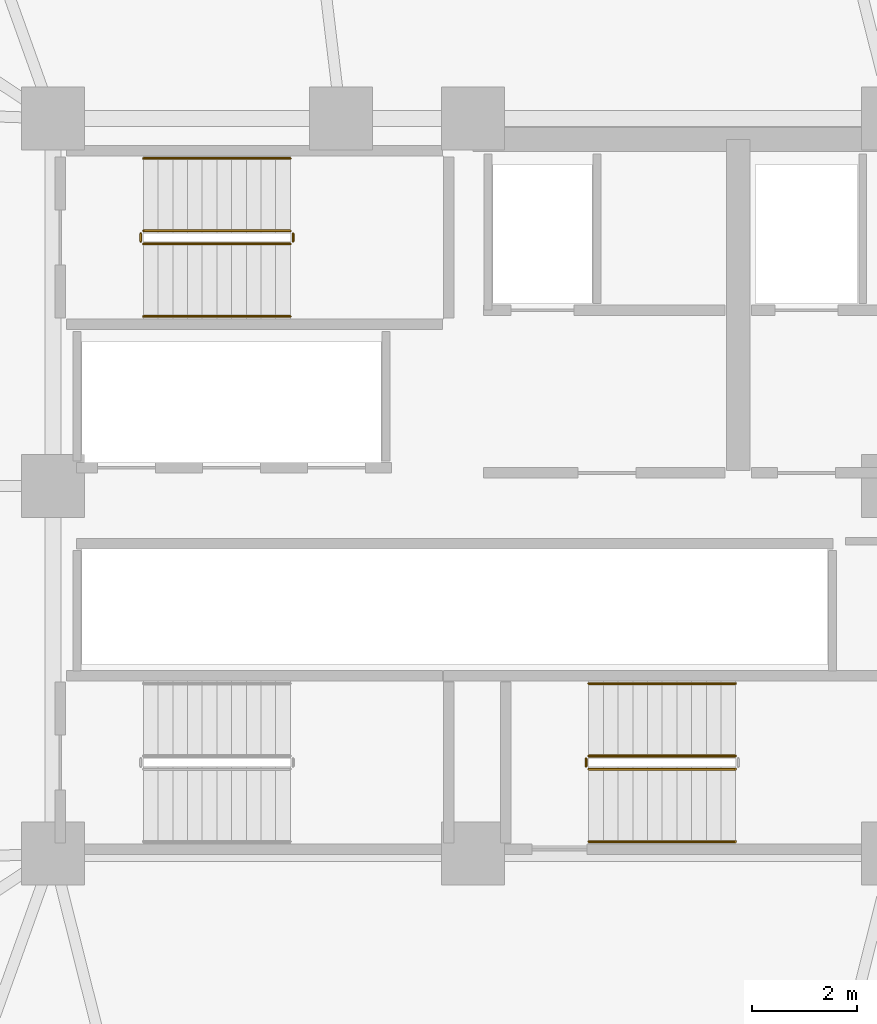
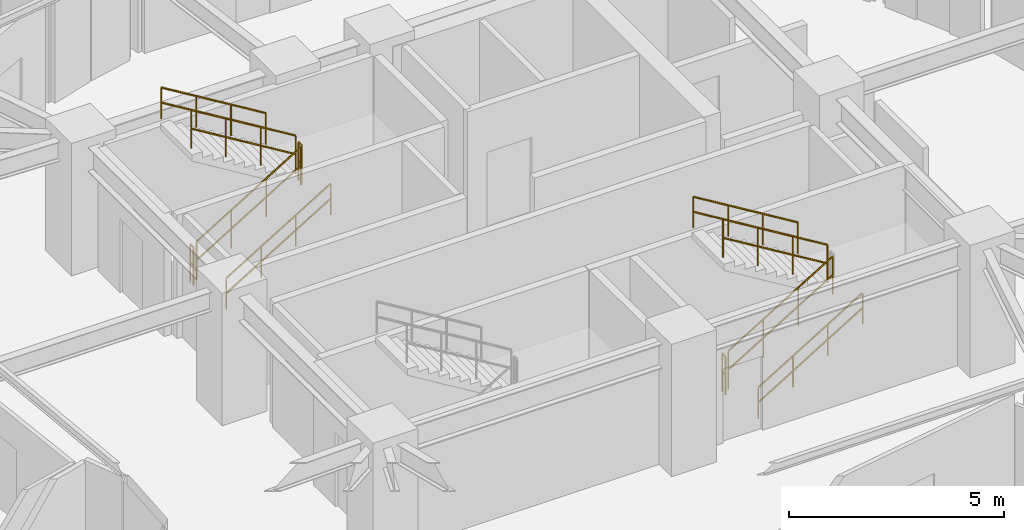
# One storey, part 34 of 36: 11 railings.
"""IFC4 building model written with IfcOpenShell, lengths in metres."""

from ifc_helpers import new_model, si_unit, direction, frame, origin, place, context, subcontext, project, spatial, polyline, outline, extrude, material, type_object, element, save


model = new_model("IFC4")

# Units and contexts
model_context = context("Model", 3, precision=1e-05, world=origin(), true_north=direction((0.0, 1.0)))
body_context = subcontext(model_context, "Body", "Model", "MODEL_VIEW")
ifc_project = project(units=[si_unit("LENGTHUNIT", "METRE"), si_unit("AREAUNIT", "SQUARE_METRE"), si_unit("VOLUMEUNIT", "CUBIC_METRE"), si_unit("PLANEANGLEUNIT", "RADIAN"), si_unit("MASSUNIT", "GRAM", prefix="KILO")], contexts=[model_context])

# Site, building, storey
site_placement = place(None, origin())
site = spatial("IfcSite", under=ifc_project, at=site_placement, CompositionType="ELEMENT")
building_placement = place(site_placement, origin())
building = spatial("IfcBuilding", under=site, at=building_placement, Name="Kelanora Arch Commons", CompositionType="ELEMENT")
storey_placement = place(building_placement, frame((0.0, 0.0, 102.60009765625)))
storey = spatial("IfcBuildingStorey", under=building, at=storey_placement, Name="L26", CompositionType="ELEMENT", Elevation=102.60009765625)

# Railings
ifc_material_1 = material(Name="Painted steel stair well guard", Category="steel")
railing_type_1 = type_object("IfcRailingType", Name="RAIL-STAIR-GRD", PredefinedType="GUARDRAIL", material=ifc_material_1)
railing_1_placement = place(storey_placement, frame((67.719970703125, 62.610107421875, 0.17041015625)))
element("IfcRailing", 1, at=railing_1_placement, inside=storey, type_object=railing_type_1, Name="L26 ST-T1 stair guard 1", PredefinedType="GUARDRAIL", context=body_context, shape_type="SweptSolid", body=[
    extrude(outline(polyline([(0.02392578125, 0.0), (0.011962890625, 0.020751953125), (-0.011962890625, 0.020751953125), (-0.02392578125, 0.0), (-0.011962890625, -0.020751953125), (0.011962890625, -0.020751953125), (0.02392578125, 0.0)])), frame((0.0, 0.0, 1.076171875), z_axis=(0.854169791009, 0.0, 0.51999420009), x_axis=(0.0, 1.0, 0.0)), (0.0, 0.0, 1.0), 3.278076171875),
    extrude(outline(polyline([(0.02392578125, 0.0), (0.011962890625, 0.020751953125), (-0.011962890625, 0.020751953125), (-0.02392578125, 0.0), (-0.011962890625, -0.020751953125), (0.011962890625, -0.020751953125), (0.02392578125, 0.0)])), frame((0.0, 0.0, 0.550048828125), z_axis=(0.854169791009, 0.0, 0.51999420009), x_axis=(0.0, 1.0, 0.0)), (0.0, 0.0, 1.0), 3.278076171875),
    extrude(outline(polyline([(0.02099609375, 0.0), (0.010498046875, 0.01806640625), (-0.010498046875, 0.01806640625), (-0.02099609375, 0.0), (-0.010498046875, -0.01806640625), (0.010498046875, -0.01806640625), (0.02099609375, 0.0)])), origin(), (0.0, 0.0, 1.0), 1.052001953125),
    extrude(outline(polyline([(0.02099609375, 0.0), (0.010498046875, 0.01806640625), (-0.010498046875, 0.01806640625), (-0.02099609375, 0.0), (-0.010498046875, -0.01806640625), (0.010498046875, -0.01806640625), (0.02099609375, 0.0)])), frame((0.933349609375, 0.0, 0.568115234375)), (0.0, 0.0, 1.0), 1.052001953125),
    extrude(outline(polyline([(0.02099609375, 0.0), (0.010498046875, 0.01806640625), (-0.010498046875, 0.01806640625), (-0.02099609375, 0.0), (-0.010498046875, -0.01806640625), (0.010498046875, -0.01806640625), (0.02099609375, 0.0)])), frame((1.86669921875, 0.0, 1.136474609375)), (0.0, 0.0, 1.0), 1.052001953125),
    extrude(outline(polyline([(0.02099609375, 0.0), (0.010498046875, 0.01806640625), (-0.010498046875, 0.01806640625), (-0.02099609375, 0.0), (-0.010498046875, -0.01806640625), (0.010498046875, -0.01806640625), (0.02099609375, 0.0)])), frame((2.800048828125, 0.0, 1.70458984375)), (0.0, 0.0, 1.0), 1.052001953125),
])
railing_2_placement = place(storey_placement, frame((70.570068359375, 62.659912109375, 1.875)))
element("IfcRailing", 2, at=railing_2_placement, inside=storey, type_object=railing_type_1, Name="L26 ST-T1 stair guard 2", PredefinedType="GUARDRAIL", context=body_context, shape_type="SweptSolid", body=[
    extrude(outline(polyline([(0.02392578125, 0.0), (0.011962890625, 0.020751953125), (-0.011962890625, 0.020751953125), (-0.02392578125, 0.0), (-0.011962890625, -0.020751953125), (0.011962890625, -0.020751953125), (0.02392578125, 0.0)])), frame((0.0, 0.0, 1.076171875), z_axis=(0.0, 1.0, 0.0), x_axis=(-1.0, 0.0, 0.0)), (0.0, 0.0, 1.0), 0.150146484375),
    extrude(outline(polyline([(0.02392578125, 0.0), (0.011962890625, 0.020751953125), (-0.011962890625, 0.020751953125), (-0.02392578125, 0.0), (-0.011962890625, -0.020751953125), (0.011962890625, -0.020751953125), (0.02392578125, 0.0)])), frame((0.0, 0.0, 0.550048828125), z_axis=(0.0, 1.0, 0.0), x_axis=(-1.0, 0.0, 0.0)), (0.0, 0.0, 1.0), 0.150146484375),
    extrude(outline(polyline([(0.02099609375, 0.0), (0.010498046875, 0.01806640625), (-0.010498046875, 0.01806640625), (-0.02099609375, 0.0), (-0.010498046875, -0.01806640625), (0.010498046875, -0.01806640625), (0.02099609375, 0.0)])), origin(), (0.0, 0.0, 1.0), 1.052001953125),
    extrude(outline(polyline([(0.02099609375, 0.0), (0.010498046875, 0.01806640625), (-0.010498046875, 0.01806640625), (-0.02099609375, 0.0), (-0.010498046875, -0.01806640625), (0.010498046875, -0.01806640625), (0.02099609375, 0.0)])), frame((0.0, 0.150146484375, 0.0)), (0.0, 0.0, 1.0), 1.052001953125),
])
railing_3_placement = place(storey_placement, frame((70.52001953125, 62.860107421875, 2.04541015625)))
element("IfcRailing", 3, at=railing_3_placement, inside=storey, type_object=railing_type_1, Name="L26 ST-T1 stair guard 3", PredefinedType="GUARDRAIL", context=body_context, shape_type="SweptSolid", body=[
    extrude(outline(polyline([(0.02392578125, 0.0), (0.011962890625, 0.020751953125), (-0.011962890625, 0.020751953125), (-0.02392578125, 0.0), (-0.011962890625, -0.020751953125), (0.011962890625, -0.020751953125), (0.02392578125, 0.0)])), frame((0.0, 0.0, 1.076171875), z_axis=(-0.854169791009, 0.0, 0.51999420009), x_axis=(0.0, -1.0, 0.0)), (0.0, 0.0, 1.0), 3.278076171875),
    extrude(outline(polyline([(0.02392578125, 0.0), (0.011962890625, 0.020751953125), (-0.011962890625, 0.020751953125), (-0.02392578125, 0.0), (-0.011962890625, -0.020751953125), (0.011962890625, -0.020751953125), (0.02392578125, 0.0)])), frame((0.0, 0.0, 0.550048828125), z_axis=(-0.854169791009, 0.0, 0.51999420009), x_axis=(0.0, -1.0, 0.0)), (0.0, 0.0, 1.0), 3.278076171875),
    extrude(outline(polyline([(0.02099609375, 0.0), (0.010498046875, 0.01806640625), (-0.010498046875, 0.01806640625), (-0.02099609375, 0.0), (-0.010498046875, -0.01806640625), (0.010498046875, -0.01806640625), (0.02099609375, 0.0)])), origin(), (0.0, 0.0, 1.0), 1.052001953125),
    extrude(outline(polyline([(0.02099609375, 0.0), (0.010498046875, 0.01806640625), (-0.010498046875, 0.01806640625), (-0.02099609375, 0.0), (-0.010498046875, -0.01806640625), (0.010498046875, -0.01806640625), (0.02099609375, 0.0)])), frame((-0.933349609375, 0.0, 0.568115234375)), (0.0, 0.0, 1.0), 1.052001953125),
    extrude(outline(polyline([(0.02099609375, 0.0), (0.010498046875, 0.01806640625), (-0.010498046875, 0.01806640625), (-0.02099609375, 0.0), (-0.010498046875, -0.01806640625), (0.010498046875, -0.01806640625), (0.02099609375, 0.0)])), frame((-1.86669921875, 0.0, 1.136474609375)), (0.0, 0.0, 1.0), 1.052001953125),
    extrude(outline(polyline([(0.02099609375, 0.0), (0.010498046875, 0.01806640625), (-0.010498046875, 0.01806640625), (-0.02099609375, 0.0), (-0.010498046875, -0.01806640625), (0.010498046875, -0.01806640625), (0.02099609375, 0.0)])), frame((-2.800048828125, 0.0, 1.70458984375)), (0.0, 0.0, 1.0), 1.052001953125),
])
railing_4_placement = place(storey_placement, frame((67.669921875, 62.659912109375, 0.0)))
element("IfcRailing", 4, at=railing_4_placement, inside=storey, type_object=railing_type_1, Name="L26 ST-T1 stair guard 4", PredefinedType="GUARDRAIL", context=body_context, shape_type="SweptSolid", body=[
    extrude(outline(polyline([(0.02392578125, 0.0), (0.011962890625, 0.020751953125), (-0.011962890625, 0.020751953125), (-0.02392578125, 0.0), (-0.011962890625, -0.020751953125), (0.011962890625, -0.020751953125), (0.02392578125, 0.0)])), frame((0.0, 0.0, 1.076171875), z_axis=(0.0, 1.0, 0.0), x_axis=(-1.0, 0.0, 0.0)), (0.0, 0.0, 1.0), 0.150146484375),
    extrude(outline(polyline([(0.02392578125, 0.0), (0.011962890625, 0.020751953125), (-0.011962890625, 0.020751953125), (-0.02392578125, 0.0), (-0.011962890625, -0.020751953125), (0.011962890625, -0.020751953125), (0.02392578125, 0.0)])), frame((0.0, 0.0, 0.550048828125), z_axis=(0.0, 1.0, 0.0), x_axis=(-1.0, 0.0, 0.0)), (0.0, 0.0, 1.0), 0.150146484375),
    extrude(outline(polyline([(0.02099609375, 0.0), (0.010498046875, 0.01806640625), (-0.010498046875, 0.01806640625), (-0.02099609375, 0.0), (-0.010498046875, -0.01806640625), (0.010498046875, -0.01806640625), (0.02099609375, 0.0)])), origin(), (0.0, 0.0, 1.0), 1.052001953125),
    extrude(outline(polyline([(0.02099609375, 0.0), (0.010498046875, 0.01806640625), (-0.010498046875, 0.01806640625), (-0.02099609375, 0.0), (-0.010498046875, -0.01806640625), (0.010498046875, -0.01806640625), (0.02099609375, 0.0)])), frame((0.0, 0.150146484375, 0.0)), (0.0, 0.0, 1.0), 1.052001953125),
])
railing_5_placement = place(storey_placement, frame((76.199951171875, 52.610107421875, 0.17041015625)))
element("IfcRailing", 5, at=railing_5_placement, inside=storey, type_object=railing_type_1, Name="L26 ST-T2 stair guard 1", PredefinedType="GUARDRAIL", context=body_context, shape_type="SweptSolid", body=[
    extrude(outline(polyline([(0.02392578125, 0.0), (0.011962890625, 0.020751953125), (-0.011962890625, 0.020751953125), (-0.02392578125, 0.0), (-0.011962890625, -0.020751953125), (0.011962890625, -0.020751953125), (0.02392578125, 0.0)])), frame((0.0, 0.0, 1.076171875), z_axis=(0.854169791009, 0.0, 0.51999420009), x_axis=(0.0, 1.0, 0.0)), (0.0, 0.0, 1.0), 3.278076171875),
    extrude(outline(polyline([(0.02392578125, 0.0), (0.011962890625, 0.020751953125), (-0.011962890625, 0.020751953125), (-0.02392578125, 0.0), (-0.011962890625, -0.020751953125), (0.011962890625, -0.020751953125), (0.02392578125, 0.0)])), frame((0.0, 0.0, 0.550048828125), z_axis=(0.854169791009, 0.0, 0.51999420009), x_axis=(0.0, 1.0, 0.0)), (0.0, 0.0, 1.0), 3.278076171875),
    extrude(outline(polyline([(0.02099609375, 0.0), (0.010498046875, 0.01806640625), (-0.010498046875, 0.01806640625), (-0.02099609375, 0.0), (-0.010498046875, -0.01806640625), (0.010498046875, -0.01806640625), (0.02099609375, 0.0)])), origin(), (0.0, 0.0, 1.0), 1.052001953125),
    extrude(outline(polyline([(0.02099609375, 0.0), (0.010498046875, 0.01806640625), (-0.010498046875, 0.01806640625), (-0.02099609375, 0.0), (-0.010498046875, -0.01806640625), (0.010498046875, -0.01806640625), (0.02099609375, 0.0)])), frame((0.933349609375, 0.0, 0.568115234375)), (0.0, 0.0, 1.0), 1.052001953125),
    extrude(outline(polyline([(0.02099609375, 0.0), (0.010498046875, 0.01806640625), (-0.010498046875, 0.01806640625), (-0.02099609375, 0.0), (-0.010498046875, -0.01806640625), (0.010498046875, -0.01806640625), (0.02099609375, 0.0)])), frame((1.86669921875, 0.0, 1.136474609375)), (0.0, 0.0, 1.0), 1.052001953125),
    extrude(outline(polyline([(0.02099609375, 0.0), (0.010498046875, 0.01806640625), (-0.010498046875, 0.01806640625), (-0.02099609375, 0.0), (-0.010498046875, -0.01806640625), (0.010498046875, -0.01806640625), (0.02099609375, 0.0)])), frame((2.800048828125, 0.0, 1.70458984375)), (0.0, 0.0, 1.0), 1.052001953125),
])
railing_6_placement = place(storey_placement, frame((79.0, 52.860107421875, 2.04541015625)))
element("IfcRailing", 6, at=railing_6_placement, inside=storey, type_object=railing_type_1, Name="L26 ST-T2 stair guard 3", PredefinedType="GUARDRAIL", context=body_context, shape_type="SweptSolid", body=[
    extrude(outline(polyline([(0.02392578125, 0.0), (0.011962890625, 0.020751953125), (-0.011962890625, 0.020751953125), (-0.02392578125, 0.0), (-0.011962890625, -0.020751953125), (0.011962890625, -0.020751953125), (0.02392578125, 0.0)])), frame((0.0, 0.0, 1.076171875), z_axis=(-0.854169791009, 0.0, 0.51999420009), x_axis=(0.0, -1.0, 0.0)), (0.0, 0.0, 1.0), 3.278076171875),
    extrude(outline(polyline([(0.02392578125, 0.0), (0.011962890625, 0.020751953125), (-0.011962890625, 0.020751953125), (-0.02392578125, 0.0), (-0.011962890625, -0.020751953125), (0.011962890625, -0.020751953125), (0.02392578125, 0.0)])), frame((0.0, 0.0, 0.550048828125), z_axis=(-0.854169791009, 0.0, 0.51999420009), x_axis=(0.0, -1.0, 0.0)), (0.0, 0.0, 1.0), 3.278076171875),
    extrude(outline(polyline([(0.02099609375, 0.0), (0.010498046875, 0.01806640625), (-0.010498046875, 0.01806640625), (-0.02099609375, 0.0), (-0.010498046875, -0.01806640625), (0.010498046875, -0.01806640625), (0.02099609375, 0.0)])), origin(), (0.0, 0.0, 1.0), 1.052001953125),
    extrude(outline(polyline([(0.02099609375, 0.0), (0.010498046875, 0.01806640625), (-0.010498046875, 0.01806640625), (-0.02099609375, 0.0), (-0.010498046875, -0.01806640625), (0.010498046875, -0.01806640625), (0.02099609375, 0.0)])), frame((-0.933349609375, 0.0, 0.568115234375)), (0.0, 0.0, 1.0), 1.052001953125),
    extrude(outline(polyline([(0.02099609375, 0.0), (0.010498046875, 0.01806640625), (-0.010498046875, 0.01806640625), (-0.02099609375, 0.0), (-0.010498046875, -0.01806640625), (0.010498046875, -0.01806640625), (0.02099609375, 0.0)])), frame((-1.86669921875, 0.0, 1.136474609375)), (0.0, 0.0, 1.0), 1.052001953125),
    extrude(outline(polyline([(0.02099609375, 0.0), (0.010498046875, 0.01806640625), (-0.010498046875, 0.01806640625), (-0.02099609375, 0.0), (-0.010498046875, -0.01806640625), (0.010498046875, -0.01806640625), (0.02099609375, 0.0)])), frame((-2.800048828125, 0.0, 1.70458984375)), (0.0, 0.0, 1.0), 1.052001953125),
])
railing_7_placement = place(storey_placement, frame((76.14990234375, 52.659912109375, 0.0)))
element("IfcRailing", 7, at=railing_7_placement, inside=storey, type_object=railing_type_1, Name="L26 ST-T2 stair guard 4", PredefinedType="GUARDRAIL", context=body_context, shape_type="SweptSolid", body=[
    extrude(outline(polyline([(0.02392578125, 0.0), (0.011962890625, 0.020751953125), (-0.011962890625, 0.020751953125), (-0.02392578125, 0.0), (-0.011962890625, -0.020751953125), (0.011962890625, -0.020751953125), (0.02392578125, 0.0)])), frame((0.0, 0.0, 1.076171875), z_axis=(0.0, 1.0, 0.0), x_axis=(-1.0, 0.0, 0.0)), (0.0, 0.0, 1.0), 0.150146484375),
    extrude(outline(polyline([(0.02392578125, 0.0), (0.011962890625, 0.020751953125), (-0.011962890625, 0.020751953125), (-0.02392578125, 0.0), (-0.011962890625, -0.020751953125), (0.011962890625, -0.020751953125), (0.02392578125, 0.0)])), frame((0.0, 0.0, 0.550048828125), z_axis=(0.0, 1.0, 0.0), x_axis=(-1.0, 0.0, 0.0)), (0.0, 0.0, 1.0), 0.150146484375),
    extrude(outline(polyline([(0.02099609375, 0.0), (0.010498046875, 0.01806640625), (-0.010498046875, 0.01806640625), (-0.02099609375, 0.0), (-0.010498046875, -0.01806640625), (0.010498046875, -0.01806640625), (0.02099609375, 0.0)])), origin(), (0.0, 0.0, 1.0), 1.052001953125),
    extrude(outline(polyline([(0.02099609375, 0.0), (0.010498046875, 0.01806640625), (-0.010498046875, 0.01806640625), (-0.02099609375, 0.0), (-0.010498046875, -0.01806640625), (0.010498046875, -0.01806640625), (0.02099609375, 0.0)])), frame((0.0, 0.150146484375, 0.0)), (0.0, 0.0, 1.0), 1.052001953125),
])
ifc_material_2 = material(Name="Brushed stainless steel stair handrail", Category="steel")
railing_type_2 = type_object("IfcRailingType", Name="RAIL-STAIR-HND", PredefinedType="HANDRAIL", material=ifc_material_2)
railing_8_placement = place(storey_placement, frame((67.719970703125, 61.22998046875, 0.17041015625)))
element("IfcRailing", 8, at=railing_8_placement, inside=storey, type_object=railing_type_2, Name="L26 ST-T1 stair handrail 1", PredefinedType="HANDRAIL", context=body_context, shape_type="SweptSolid", body=[
    extrude(outline(polyline([(0.02392578125, 0.0), (0.011962890625, 0.020751953125), (-0.011962890625, 0.020751953125), (-0.02392578125, 0.0), (-0.011962890625, -0.020751953125), (0.011962890625, -0.020751953125), (0.02392578125, 0.0)])), frame((0.0, 0.0, 0.8759765625), z_axis=(0.854169791009, 0.0, 0.51999420009), x_axis=(0.0, 1.0, 0.0)), (0.0, 0.0, 1.0), 3.278076171875),
    extrude(outline(polyline([(0.02392578125, 0.0), (0.011962890625, 0.020751953125), (-0.011962890625, 0.020751953125), (-0.02392578125, 0.0), (-0.011962890625, -0.020751953125), (0.011962890625, -0.020751953125), (0.02392578125, 0.0)])), frame((0.0, 0.0, 0.449951171875), z_axis=(0.854169791009, 0.0, 0.51999420009), x_axis=(0.0, 1.0, 0.0)), (0.0, 0.0, 1.0), 3.278076171875),
    extrude(outline(polyline([(0.02099609375, 0.0), (0.010498046875, 0.01806640625), (-0.010498046875, 0.01806640625), (-0.02099609375, 0.0), (-0.010498046875, -0.01806640625), (0.010498046875, -0.01806640625), (0.02099609375, 0.0)])), origin(), (0.0, 0.0, 1.0), 0.851806640625),
    extrude(outline(polyline([(0.02099609375, 0.0), (0.010498046875, 0.01806640625), (-0.010498046875, 0.01806640625), (-0.02099609375, 0.0), (-0.010498046875, -0.01806640625), (0.010498046875, -0.01806640625), (0.02099609375, 0.0)])), frame((0.933349609375, 0.0, 0.568115234375)), (0.0, 0.0, 1.0), 0.851806640625),
    extrude(outline(polyline([(0.02099609375, 0.0), (0.010498046875, 0.01806640625), (-0.010498046875, 0.01806640625), (-0.02099609375, 0.0), (-0.010498046875, -0.01806640625), (0.010498046875, -0.01806640625), (0.02099609375, 0.0)])), frame((1.86669921875, 0.0, 1.136474609375)), (0.0, 0.0, 1.0), 0.851806640625),
    extrude(outline(polyline([(0.02099609375, 0.0), (0.010498046875, 0.01806640625), (-0.010498046875, 0.01806640625), (-0.02099609375, 0.0), (-0.010498046875, -0.01806640625), (0.010498046875, -0.01806640625), (0.02099609375, 0.0)])), frame((2.800048828125, 0.0, 1.70458984375)), (0.0, 0.0, 1.0), 0.851806640625),
])
railing_9_placement = place(storey_placement, frame((70.52001953125, 64.239990234375, 2.04541015625)))
element("IfcRailing", 9, at=railing_9_placement, inside=storey, type_object=railing_type_2, Name="L26 ST-T1 stair handrail 2", PredefinedType="HANDRAIL", context=body_context, shape_type="SweptSolid", body=[
    extrude(outline(polyline([(0.02392578125, 0.0), (0.011962890625, 0.020751953125), (-0.011962890625, 0.020751953125), (-0.02392578125, 0.0), (-0.011962890625, -0.020751953125), (0.011962890625, -0.020751953125), (0.02392578125, 0.0)])), frame((0.0, 0.0, 0.8759765625), z_axis=(-0.854169791009, 0.0, 0.51999420009), x_axis=(0.0, -1.0, 0.0)), (0.0, 0.0, 1.0), 3.278076171875),
    extrude(outline(polyline([(0.02392578125, 0.0), (0.011962890625, 0.020751953125), (-0.011962890625, 0.020751953125), (-0.02392578125, 0.0), (-0.011962890625, -0.020751953125), (0.011962890625, -0.020751953125), (0.02392578125, 0.0)])), frame((0.0, 0.0, 0.449951171875), z_axis=(-0.854169791009, 0.0, 0.51999420009), x_axis=(0.0, -1.0, 0.0)), (0.0, 0.0, 1.0), 3.278076171875),
    extrude(outline(polyline([(0.02099609375, 0.0), (0.010498046875, 0.01806640625), (-0.010498046875, 0.01806640625), (-0.02099609375, 0.0), (-0.010498046875, -0.01806640625), (0.010498046875, -0.01806640625), (0.02099609375, 0.0)])), origin(), (0.0, 0.0, 1.0), 0.851806640625),
    extrude(outline(polyline([(0.02099609375, 0.0), (0.010498046875, 0.01806640625), (-0.010498046875, 0.01806640625), (-0.02099609375, 0.0), (-0.010498046875, -0.01806640625), (0.010498046875, -0.01806640625), (0.02099609375, 0.0)])), frame((-0.933349609375, 0.0, 0.568115234375)), (0.0, 0.0, 1.0), 0.851806640625),
    extrude(outline(polyline([(0.02099609375, 0.0), (0.010498046875, 0.01806640625), (-0.010498046875, 0.01806640625), (-0.02099609375, 0.0), (-0.010498046875, -0.01806640625), (0.010498046875, -0.01806640625), (0.02099609375, 0.0)])), frame((-1.86669921875, 0.0, 1.136474609375)), (0.0, 0.0, 1.0), 0.851806640625),
    extrude(outline(polyline([(0.02099609375, 0.0), (0.010498046875, 0.01806640625), (-0.010498046875, 0.01806640625), (-0.02099609375, 0.0), (-0.010498046875, -0.01806640625), (0.010498046875, -0.01806640625), (0.02099609375, 0.0)])), frame((-2.800048828125, 0.0, 1.70458984375)), (0.0, 0.0, 1.0), 0.851806640625),
])
railing_10_placement = place(storey_placement, frame((76.199951171875, 51.22998046875, 0.17041015625)))
element("IfcRailing", 10, at=railing_10_placement, inside=storey, type_object=railing_type_2, Name="L26 ST-T2 stair handrail 1", PredefinedType="HANDRAIL", context=body_context, shape_type="SweptSolid", body=[
    extrude(outline(polyline([(0.02392578125, 0.0), (0.011962890625, 0.020751953125), (-0.011962890625, 0.020751953125), (-0.02392578125, 0.0), (-0.011962890625, -0.020751953125), (0.011962890625, -0.020751953125), (0.02392578125, 0.0)])), frame((0.0, 0.0, 0.8759765625), z_axis=(0.854169791009, 0.0, 0.51999420009), x_axis=(0.0, 1.0, 0.0)), (0.0, 0.0, 1.0), 3.278076171875),
    extrude(outline(polyline([(0.02392578125, 0.0), (0.011962890625, 0.020751953125), (-0.011962890625, 0.020751953125), (-0.02392578125, 0.0), (-0.011962890625, -0.020751953125), (0.011962890625, -0.020751953125), (0.02392578125, 0.0)])), frame((0.0, 0.0, 0.449951171875), z_axis=(0.854169791009, 0.0, 0.51999420009), x_axis=(0.0, 1.0, 0.0)), (0.0, 0.0, 1.0), 3.278076171875),
    extrude(outline(polyline([(0.02099609375, 0.0), (0.010498046875, 0.01806640625), (-0.010498046875, 0.01806640625), (-0.02099609375, 0.0), (-0.010498046875, -0.01806640625), (0.010498046875, -0.01806640625), (0.02099609375, 0.0)])), origin(), (0.0, 0.0, 1.0), 0.851806640625),
    extrude(outline(polyline([(0.02099609375, 0.0), (0.010498046875, 0.01806640625), (-0.010498046875, 0.01806640625), (-0.02099609375, 0.0), (-0.010498046875, -0.01806640625), (0.010498046875, -0.01806640625), (0.02099609375, 0.0)])), frame((0.933349609375, 0.0, 0.568115234375)), (0.0, 0.0, 1.0), 0.851806640625),
    extrude(outline(polyline([(0.02099609375, 0.0), (0.010498046875, 0.01806640625), (-0.010498046875, 0.01806640625), (-0.02099609375, 0.0), (-0.010498046875, -0.01806640625), (0.010498046875, -0.01806640625), (0.02099609375, 0.0)])), frame((1.86669921875, 0.0, 1.136474609375)), (0.0, 0.0, 1.0), 0.851806640625),
    extrude(outline(polyline([(0.02099609375, 0.0), (0.010498046875, 0.01806640625), (-0.010498046875, 0.01806640625), (-0.02099609375, 0.0), (-0.010498046875, -0.01806640625), (0.010498046875, -0.01806640625), (0.02099609375, 0.0)])), frame((2.800048828125, 0.0, 1.70458984375)), (0.0, 0.0, 1.0), 0.851806640625),
])
railing_11_placement = place(storey_placement, frame((79.0, 54.239990234375, 2.04541015625)))
element("IfcRailing", 11, at=railing_11_placement, inside=storey, type_object=railing_type_2, Name="L26 ST-T2 stair handrail 2", PredefinedType="HANDRAIL", context=body_context, shape_type="SweptSolid", body=[
    extrude(outline(polyline([(0.02392578125, 0.0), (0.011962890625, 0.020751953125), (-0.011962890625, 0.020751953125), (-0.02392578125, 0.0), (-0.011962890625, -0.020751953125), (0.011962890625, -0.020751953125), (0.02392578125, 0.0)])), frame((0.0, 0.0, 0.8759765625), z_axis=(-0.854169791009, 0.0, 0.51999420009), x_axis=(0.0, -1.0, 0.0)), (0.0, 0.0, 1.0), 3.278076171875),
    extrude(outline(polyline([(0.02392578125, 0.0), (0.011962890625, 0.020751953125), (-0.011962890625, 0.020751953125), (-0.02392578125, 0.0), (-0.011962890625, -0.020751953125), (0.011962890625, -0.020751953125), (0.02392578125, 0.0)])), frame((0.0, 0.0, 0.449951171875), z_axis=(-0.854169791009, 0.0, 0.51999420009), x_axis=(0.0, -1.0, 0.0)), (0.0, 0.0, 1.0), 3.278076171875),
    extrude(outline(polyline([(0.02099609375, 0.0), (0.010498046875, 0.01806640625), (-0.010498046875, 0.01806640625), (-0.02099609375, 0.0), (-0.010498046875, -0.01806640625), (0.010498046875, -0.01806640625), (0.02099609375, 0.0)])), origin(), (0.0, 0.0, 1.0), 0.851806640625),
    extrude(outline(polyline([(0.02099609375, 0.0), (0.010498046875, 0.01806640625), (-0.010498046875, 0.01806640625), (-0.02099609375, 0.0), (-0.010498046875, -0.01806640625), (0.010498046875, -0.01806640625), (0.02099609375, 0.0)])), frame((-0.933349609375, 0.0, 0.568115234375)), (0.0, 0.0, 1.0), 0.851806640625),
    extrude(outline(polyline([(0.02099609375, 0.0), (0.010498046875, 0.01806640625), (-0.010498046875, 0.01806640625), (-0.02099609375, 0.0), (-0.010498046875, -0.01806640625), (0.010498046875, -0.01806640625), (0.02099609375, 0.0)])), frame((-1.86669921875, 0.0, 1.136474609375)), (0.0, 0.0, 1.0), 0.851806640625),
    extrude(outline(polyline([(0.02099609375, 0.0), (0.010498046875, 0.01806640625), (-0.010498046875, 0.01806640625), (-0.02099609375, 0.0), (-0.010498046875, -0.01806640625), (0.010498046875, -0.01806640625), (0.02099609375, 0.0)])), frame((-2.800048828125, 0.0, 1.70458984375)), (0.0, 0.0, 1.0), 0.851806640625),
])

save(model, "model.ifc")
